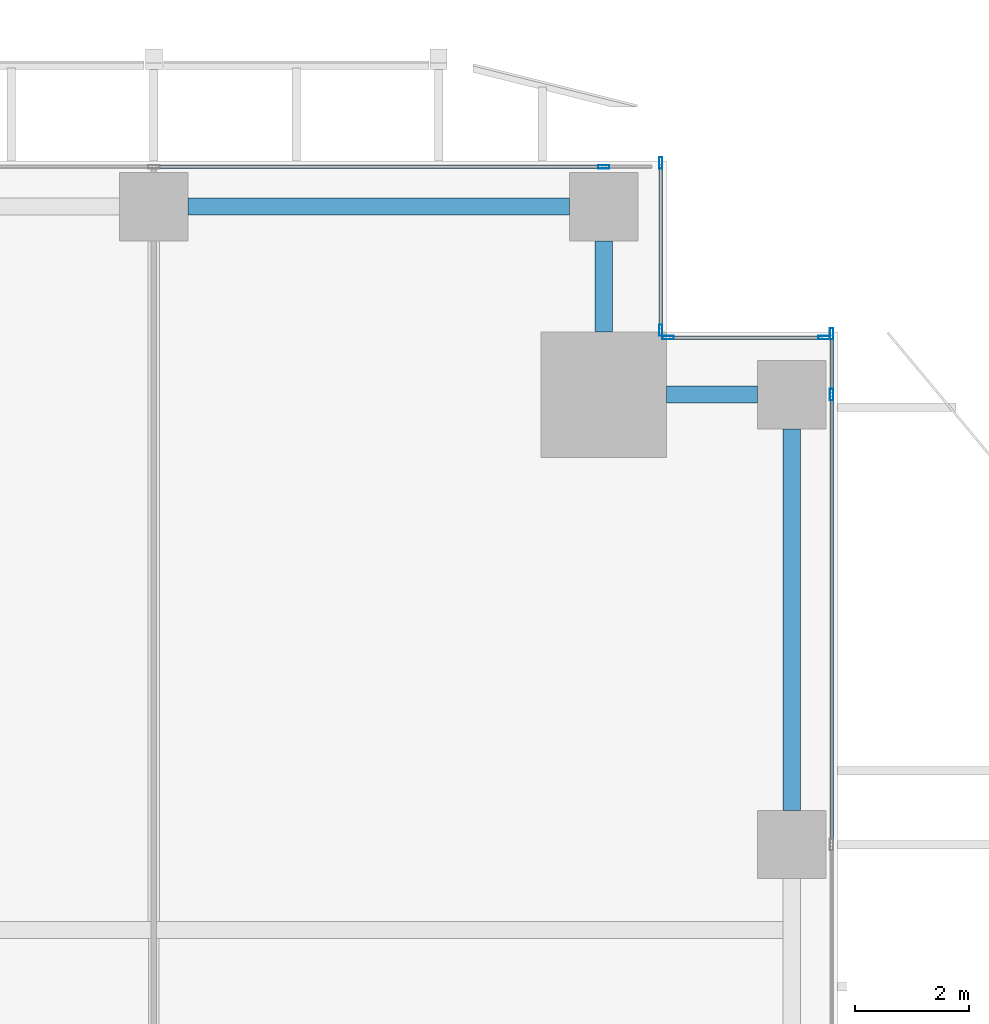
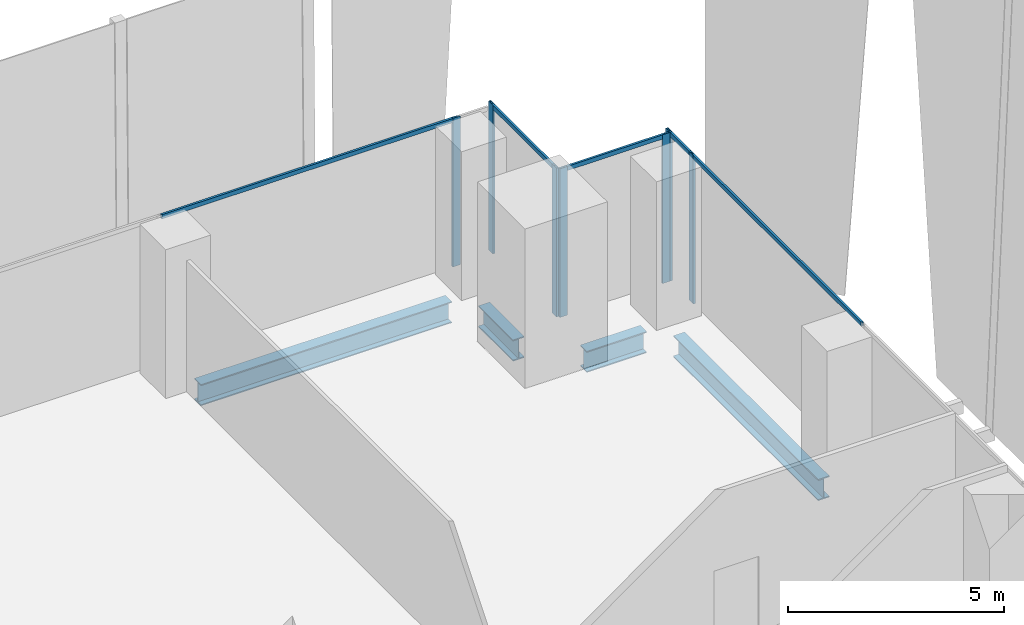
# One storey, part 20 of 35: 12 members, 4 beams, 4 elements without a shape of their own.
"""IFC4 building model written with IfcOpenShell, lengths in metres."""

from ifc_helpers import new_model, si_unit, direction, frame, origin, origin_2d, place, context, subcontext, project, spatial, hollow_rectangle, i_section, extrude, source, transform, mapped, material, material_profile, profile_set, type_object, element, aggregate, save


model = new_model("IFC4")

# Units and contexts
model_context = context("Model", 3, precision=1e-05, world=origin(), true_north=direction((0.0, 1.0)))
body_context = subcontext(model_context, "Body", "Model", "MODEL_VIEW")
ifc_project = project(units=[si_unit("LENGTHUNIT", "METRE"), si_unit("AREAUNIT", "SQUARE_METRE"), si_unit("VOLUMEUNIT", "CUBIC_METRE"), si_unit("PLANEANGLEUNIT", "RADIAN"), si_unit("MASSUNIT", "GRAM", prefix="KILO")], contexts=[model_context])

# Site, building, storey
site_placement = place(None, origin())
site = spatial("IfcSite", under=ifc_project, at=site_placement, CompositionType="ELEMENT")
building_placement = place(site_placement, origin())
building = spatial("IfcBuilding", under=site, at=building_placement, Name="Khomas Fold Tower", CompositionType="ELEMENT")
storey_placement = place(building_placement, frame((0.0, 0.0, 87.0)))
storey = spatial("IfcBuildingStorey", under=building, at=storey_placement, Name="L18", CompositionType="ELEMENT", Elevation=87.0)

# Beams
ifc_material_1 = material(Name="Steel S355", Category="steel")
ifc_material_profile_1 = material_profile(ifc_material_1, i_section(OverallWidth=0.300048828125, OverallDepth=0.60009765625, WebThickness=0.015380859375, FlangeThickness=0.030029296875, at=origin_2d()), Name="HE 600 B")
ifc_profile_set_1 = profile_set([ifc_material_profile_1], Name="Steel S355")
beam_type = type_object("IfcBeamType", Name="HE 600 B spandrel SB1", PredefinedType="SPANDREL", material=ifc_profile_set_1)
shared_shape_1 = source(origin(), body_context, "Body", "SweptSolid", [
    extrude(i_section(OverallWidth=0.300048828125, OverallDepth=0.60009765625, WebThickness=0.015380859375, FlangeThickness=0.030029296875, at=origin_2d()), origin(), (0.0, 0.0, 1.0), 6.699951171875),
])
for number, where, z_axis, x_axis, name in (
    (1, (53.199951171875, 42.60009765625, -0.60009765625), (0.0, 1.0, 0.0), (-1.0, 0.0, 0.0), "SB1"),
    (2, (42.60009765625, 53.199951171875, -0.60009765625), (1.0, 0.0, 0.0), (0.0, 1.0, 0.0), "SB1"),
):
    element("IfcBeam", number, at=place(storey_placement, frame(where, z_axis=z_axis, x_axis=x_axis)), inside=storey, type_object=beam_type, Name=name, PredefinedType="SPANDREL", context=body_context, shape_type="MappedRepresentation", body=[
        mapped(shared_shape_1, transform((0.0, 0.0, 0.0))),
    ])
shared_shape_2 = source(origin(), body_context, "Body", "SweptSolid", [
    extrude(i_section(OverallWidth=0.300048828125, OverallDepth=0.60009765625, WebThickness=0.015380859375, FlangeThickness=0.030029296875, at=origin_2d()), origin(), (0.0, 0.0, 1.0), 1.60009765625),
])
for number, where, z_axis, x_axis, name in (
    (3, (51.0, 49.89990234375, -0.60009765625), (1.0, 0.0, 0.0), (0.0, 1.0, 0.0), "SB1"),
    (4, (49.89990234375, 51.0, -0.60009765625), (0.0, 1.0, 0.0), (-1.0, 0.0, 0.0), "SB1"),
):
    element("IfcBeam", number, at=place(storey_placement, frame(where, z_axis=z_axis, x_axis=x_axis)), inside=storey, type_object=beam_type, Name=name, PredefinedType="SPANDREL", context=body_context, shape_type="MappedRepresentation", body=[
        mapped(shared_shape_2, transform((0.0, 0.0, 0.0))),
    ])

# Curtain wall, member
ifc_material_2 = material(Name="Aluminium framed double glazing", Category="aluminium")
curtain_wall_type = type_object("IfcCurtainWallType", Name="SK-Unitised clear-glass wall, growing floors CW1", PredefinedType="NOTDEFINED", material=ifc_material_2)
curtain_wall_1_placement = place(storey_placement, origin())
curtain_wall_1 = element("IfcCurtainWall", 5, at=curtain_wall_1_placement, inside=storey, type_object=curtain_wall_type, Name="CW1 run L18 03-0", PredefinedType="NOTDEFINED")
ifc_material_3 = material(Name="Aluminium", Category="aluminium")
ifc_material_profile_2 = material_profile(ifc_material_3, hollow_rectangle(XDim=0.06005859375, YDim=0.1201171875, WallThickness=0.00390625, at=origin_2d()), Name="SK-Unitised clear-glass wall, growing floors transom CW1-T")
ifc_profile_set_2 = profile_set([ifc_material_profile_2], Name="Aluminium")
member_type_1 = type_object("IfcMemberType", Name="SK-Unitised clear-glass wall, growing floors transom CW1-T", PredefinedType="USERDEFINED", material=ifc_profile_set_2)
shared_shape_3 = source(origin(), body_context, "Body", "SweptSolid", [
    extrude(hollow_rectangle(XDim=0.06005859375, YDim=0.1201171875, WallThickness=0.00390625, at=origin_2d()), origin(), (0.0, 0.0, 1.0), 7.840087890625),
])
member_1_placement = place(storey_placement, frame((53.89990234375, 42.030029296875, 4.139892578125), z_axis=(0.0, 1.0, 0.0), x_axis=(-1.0, 0.0, 0.0)))
member_1 = element("IfcMember", 6, at=member_1_placement, type_object=member_type_1, Name="CW1 transom 7", ObjectType="TRANSOM", PredefinedType="USERDEFINED", context=body_context, shape_type="MappedRepresentation", body=[
    mapped(shared_shape_3, transform((0.0, 0.0, 0.0))),
])

curtain_wall_2_placement = place(storey_placement, origin())
curtain_wall_2 = element("IfcCurtainWall", 7, at=curtain_wall_2_placement, inside=storey, type_object=curtain_wall_type, Name="CW1 run L18 06-0", PredefinedType="NOTDEFINED")
member_2_placement = place(storey_placement, frame((49.8701171875, 53.89990234375, 4.139892578125), z_axis=(-1.0, 0.0, 0.0), x_axis=(0.0, -1.0, 0.0)))
member_2 = element("IfcMember", 8, at=member_2_placement, type_object=member_type_1, Name="CW1 transom 2", ObjectType="TRANSOM", PredefinedType="USERDEFINED", context=body_context, shape_type="MappedRepresentation", body=[
    mapped(shared_shape_3, transform((0.0, 0.0, 0.0))),
])

# Member
shared_shape_4 = source(origin(), body_context, "Body", "SweptSolid", [
    extrude(hollow_rectangle(XDim=0.06005859375, YDim=0.1201171875, WallThickness=0.00390625, at=origin_2d()), origin(), (0.0, 0.0, 1.0), 1.010009765625),
])
member_3_placement = place(storey_placement, frame((53.89990234375, 49.929931640625, 4.139892578125), z_axis=(0.0, 1.0, 0.0), x_axis=(-1.0, 0.0, 0.0)))
member_3 = element("IfcMember", 9, at=member_3_placement, type_object=member_type_1, Name="CW1 transom 8", ObjectType="TRANSOM", PredefinedType="USERDEFINED", context=body_context, shape_type="MappedRepresentation", body=[
    mapped(shared_shape_4, transform((0.0, 0.0, 0.0))),
])

# Curtain wall, member
curtain_wall_3_placement = place(storey_placement, origin())
curtain_wall_3 = element("IfcCurtainWall", 10, at=curtain_wall_3_placement, inside=storey, type_object=curtain_wall_type, Name="CW1 corner return L18 04", PredefinedType="NOTDEFINED")
shared_shape_5 = source(origin(), body_context, "Body", "SweptSolid", [
    extrude(hollow_rectangle(XDim=0.06005859375, YDim=0.1201171875, WallThickness=0.00390625, at=origin_2d()), origin(), (0.0, 0.0, 1.0), 2.679931640625),
])
member_4_placement = place(storey_placement, frame((53.739990234375, 50.89990234375, 4.139892578125), z_axis=(-1.0, 0.0, 0.0), x_axis=(0.0, -1.0, 0.0)))
member_4 = element("IfcMember", 11, at=member_4_placement, type_object=member_type_1, Name="CW1 transom 1", ObjectType="TRANSOM", PredefinedType="USERDEFINED", context=body_context, shape_type="MappedRepresentation", body=[
    mapped(shared_shape_5, transform((0.0, 0.0, 0.0))),
])

curtain_wall_4_placement = place(storey_placement, origin())
curtain_wall_4 = element("IfcCurtainWall", 12, at=curtain_wall_4_placement, inside=storey, type_object=curtain_wall_type, Name="CW1 corner return L18 05", PredefinedType="NOTDEFINED")
shared_shape_6 = source(origin(), body_context, "Body", "SweptSolid", [
    extrude(hollow_rectangle(XDim=0.06005859375, YDim=0.1201171875, WallThickness=0.00390625, at=origin_2d()), origin(), (0.0, 0.0, 1.0), 2.8798828125),
])
member_5_placement = place(storey_placement, frame((50.89990234375, 51.06005859375, 4.139892578125), z_axis=(0.0, 1.0, 0.0), x_axis=(-1.0, 0.0, 0.0)))
member_5 = element("IfcMember", 13, at=member_5_placement, type_object=member_type_1, Name="CW1 transom 1", ObjectType="TRANSOM", PredefinedType="USERDEFINED", context=body_context, shape_type="MappedRepresentation", body=[
    mapped(shared_shape_6, transform((0.0, 0.0, 0.0))),
])

# Member
ifc_material_4 = material(Name="Aluminium", Category="aluminium")
ifc_material_profile_3 = material_profile(ifc_material_4, hollow_rectangle(XDim=0.06005859375, YDim=0.199951171875, WallThickness=0.00390625, at=origin_2d()), Name="SK-Unitised clear-glass wall, growing floors mullion CW1-M")
ifc_profile_set_3 = profile_set([ifc_material_profile_3], Name="Aluminium")
member_type_2 = type_object("IfcMemberType", Name="SK-Unitised clear-glass wall, growing floors mullion CW1-M", PredefinedType="MULLION", material=ifc_profile_set_3)
shared_shape_7 = source(origin(), body_context, "Body", "SweptSolid", [
    extrude(hollow_rectangle(XDim=0.06005859375, YDim=0.199951171875, WallThickness=0.00390625, at=origin_2d()), origin(), (0.0, 0.0, 1.0), 4.199951171875),
])
member_6_placement = place(storey_placement, frame((53.89990234375, 49.89990234375, 0.0), z_axis=(0.0, 0.0, 1.0), x_axis=(-1.0, 0.0, 0.0)))
member_6 = element("IfcMember", 14, at=member_6_placement, type_object=member_type_2, Name="CW1 mullion 8", PredefinedType="MULLION", context=body_context, shape_type="MappedRepresentation", body=[
    mapped(shared_shape_7, transform((0.0, 0.0, 0.0))),
])

member_7_placement = place(storey_placement, frame((53.89990234375, 50.969970703125, 0.0), z_axis=(0.0, 0.0, 1.0), x_axis=(-1.0, 0.0, 0.0)))
member_7 = element("IfcMember", 15, at=member_7_placement, type_object=member_type_2, Name="CW1 mullion 9", PredefinedType="MULLION", context=body_context, shape_type="MappedRepresentation", body=[
    mapped(shared_shape_7, transform((0.0, 0.0, 0.0))),
])

aggregate(curtain_wall_1, [member_6, member_7, member_1, member_3])

member_8_placement = place(storey_placement, frame((53.77001953125, 50.89990234375, 0.0), z_axis=(0.0, 0.0, 1.0), x_axis=(0.0, -1.0, 0.0)))
member_8 = element("IfcMember", 16, at=member_8_placement, type_object=member_type_2, Name="CW1 mullion 1", PredefinedType="MULLION", context=body_context, shape_type="MappedRepresentation", body=[
    mapped(shared_shape_7, transform((0.0, 0.0, 0.0))),
])

member_9_placement = place(storey_placement, frame((51.030029296875, 50.89990234375, 0.0), z_axis=(0.0, 0.0, 1.0), x_axis=(0.0, -1.0, 0.0)))
member_9 = element("IfcMember", 17, at=member_9_placement, type_object=member_type_2, Name="CW1 mullion 2", PredefinedType="MULLION", context=body_context, shape_type="MappedRepresentation", body=[
    mapped(shared_shape_7, transform((0.0, 0.0, 0.0))),
])

aggregate(curtain_wall_3, [member_8, member_9, member_4])

member_10_placement = place(storey_placement, frame((50.89990234375, 51.030029296875, 0.0), z_axis=(0.0, 0.0, 1.0), x_axis=(-1.0, 0.0, 0.0)))
member_10 = element("IfcMember", 18, at=member_10_placement, type_object=member_type_2, Name="CW1 mullion 1", PredefinedType="MULLION", context=body_context, shape_type="MappedRepresentation", body=[
    mapped(shared_shape_7, transform((0.0, 0.0, 0.0))),
])

member_11_placement = place(storey_placement, frame((50.89990234375, 53.969970703125, 0.0), z_axis=(0.0, 0.0, 1.0), x_axis=(-1.0, 0.0, 0.0)))
member_11 = element("IfcMember", 19, at=member_11_placement, type_object=member_type_2, Name="CW1 mullion 2", PredefinedType="MULLION", context=body_context, shape_type="MappedRepresentation", body=[
    mapped(shared_shape_7, transform((0.0, 0.0, 0.0))),
])

aggregate(curtain_wall_4, [member_10, member_11, member_5])

member_12_placement = place(storey_placement, frame((49.89990234375, 53.89990234375, 0.0), z_axis=(0.0, 0.0, 1.0), x_axis=(0.0, -1.0, 0.0)))
member_12 = element("IfcMember", 20, at=member_12_placement, type_object=member_type_2, Name="CW1 mullion 2", PredefinedType="MULLION", context=body_context, shape_type="MappedRepresentation", body=[
    mapped(shared_shape_7, transform((0.0, 0.0, 0.0))),
])

aggregate(curtain_wall_2, [member_12, member_2])

save(model, "model.ifc")
